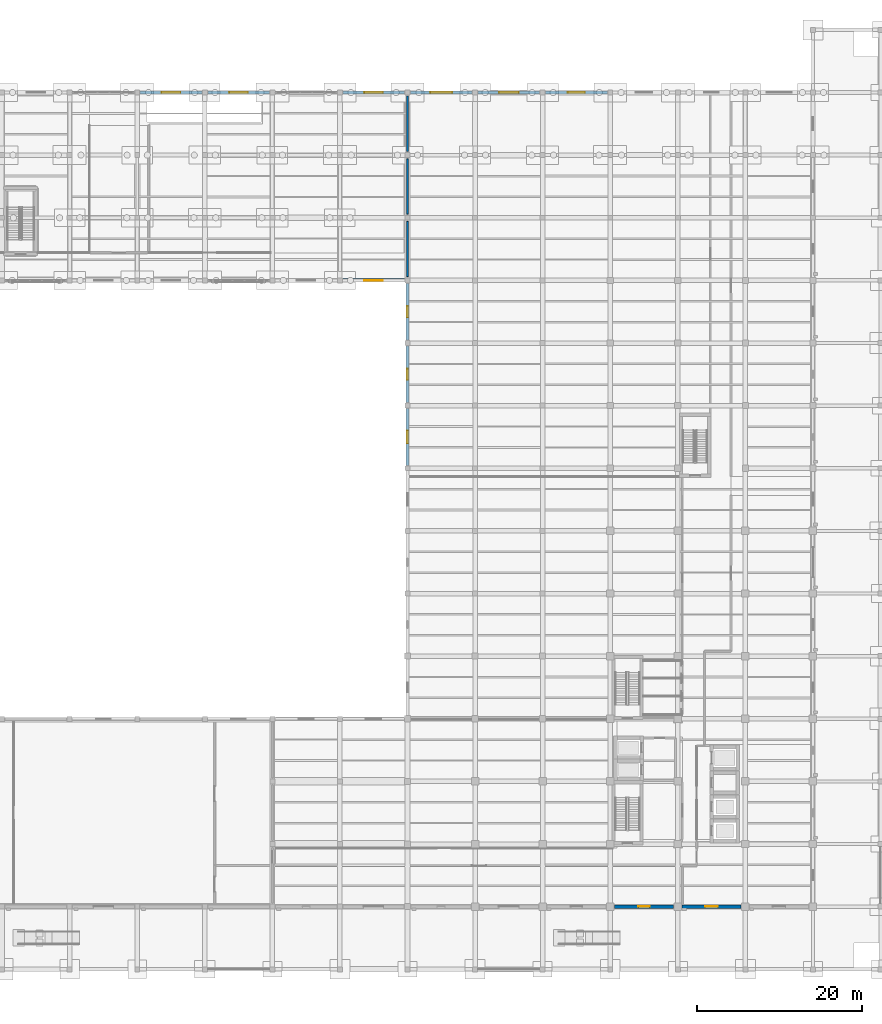
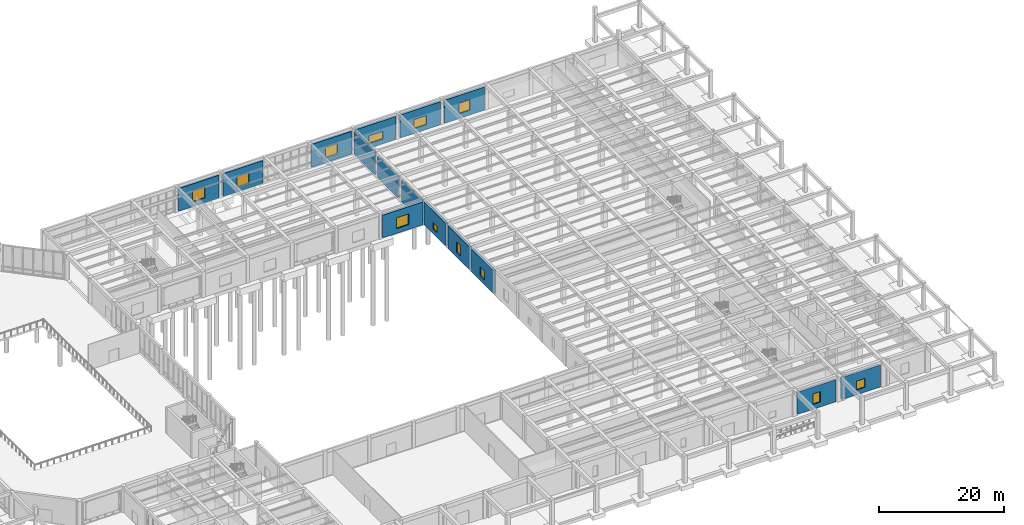
# One storey, part 46 of 64: 15 walls, 12 windows, 12 openings.
"""IFC4 building model written with IfcOpenShell, lengths in metres."""

from ifc_helpers import new_model, si_unit, direction, frame, frame_2d, origin, place, context, subcontext, project, spatial, rectangle, extrude, material, layer, layer_set, type_object, element, fill, save


model = new_model("IFC4")

# Units and contexts
model_context = context("Model", 3, precision=1e-05, world=origin(), true_north=direction((0.0, 1.0)))
body_context = subcontext(model_context, "Body", "Model", "MODEL_VIEW")
ifc_project = project(units=[si_unit("LENGTHUNIT", "METRE"), si_unit("AREAUNIT", "SQUARE_METRE"), si_unit("VOLUMEUNIT", "CUBIC_METRE"), si_unit("PLANEANGLEUNIT", "RADIAN"), si_unit("MASSUNIT", "GRAM", prefix="KILO")], contexts=[model_context])

# Site, building, storey
site_placement = place(None, origin())
site = spatial("IfcSite", under=ifc_project, at=site_placement, CompositionType="ELEMENT")
building_placement = place(site_placement, origin())
building = spatial("IfcBuilding", under=site, at=building_placement, Name="Qandaris Square Conservatory and Botanical Centre", CompositionType="ELEMENT")
storey_placement = place(building_placement, origin())
storey = spatial("IfcBuildingStorey", under=building, at=storey_placement, Name="L00", CompositionType="ELEMENT", Elevation=0.0)

# Wall, opening, window
ifc_material_1 = material(Name="Precast concrete C40/50", Category="concrete")
ifc_layer_1 = layer(ifc_material_1, 0.360107421875)
ifc_layer_set_1 = layer_set([ifc_layer_1], Name="Precast concrete C40/50")
wall_type_1 = type_object("IfcWallType", Name="Architectural Precast Cladding Wall 360mm", PredefinedType="SOLIDWALL", material=ifc_layer_set_1)
wall_1_placement = place(storey_placement, frame((114.239990234375, 115.39990234375, 0.0), z_axis=(0.0, 0.0, 1.0), x_axis=(-1.0, 0.0, 0.0)))
wall_1 = element("IfcWall", 1, at=wall_1_placement, inside=storey, type_object=wall_type_1, Name="Exterior Wall EW-V3B-L00-3-1", PredefinedType="SOLIDWALL", context=body_context, shape_type="SweptSolid", body=[
    extrude(rectangle(XDim=7.47998046875, YDim=0.360107421875, at=frame_2d((3.739990234375, 0.0))), origin(), (0.0, 0.0, 1.0), 4.465087890625),
])
opening_1_placement = place(wall_1_placement, frame((2.614990234375, 0.0, 0.949951171875)))
opening_1 = element("IfcOpeningElement", 2, at=opening_1_placement, cuts=wall_1, Name="Opening WN-12", PredefinedType="OPENING", context=body_context, shape_type="SweptSolid", body=[
    extrude(rectangle(XDim=2.25, YDim=2.10009765625, at=frame_2d((1.125, 1.050048828125))), frame((0.0, 0.19189453125, 0.0), z_axis=(0.0, -1.0, 0.0), x_axis=(1.0, 0.0, 0.0)), (0.0, 0.0, 1.0), 0.384033203125),
])
ifc_material_2 = material(Name="Tempered Low-E Glass", Category="glass")
window_type_1 = type_object("IfcWindowType", Name="Cafe Shaded Court Window 2250x2100", PartitioningType="DOUBLE_PANEL_VERTICAL", PredefinedType="WINDOW", material=ifc_material_2)
window_1_placement = place(opening_1_placement, origin())
window_1 = element("IfcWindow", 3, at=window_1_placement, inside=storey, type_object=window_type_1, Name="Window EW-V3B-L00-3-1", OverallHeight=2.10009765625, OverallWidth=2.25, PartitioningType="DOUBLE_PANEL_VERTICAL", PredefinedType="WINDOW", context=body_context, shape_type="SweptSolid", body=[
    extrude(rectangle(XDim=2.25, YDim=2.10009765625, at=frame_2d((1.125, 1.050048828125))), frame((0.0, 0.030029296875, 0.0), z_axis=(0.0, -1.0, 0.0), x_axis=(1.0, 0.0, 0.0)), (0.0, 0.0, 1.0), 0.06005859375),
])
fill(opening_1, window_1)

wall_2_placement = place(storey_placement, frame((97.840087890625, 115.39990234375, 0.0), z_axis=(0.0, 0.0, 1.0), x_axis=(-1.0, 0.0, 0.0)))
wall_2 = element("IfcWall", 4, at=wall_2_placement, inside=storey, type_object=wall_type_1, Name="Exterior Wall EW-V3B-L00-3-3", PredefinedType="SOLIDWALL", context=body_context, shape_type="SweptSolid", body=[
    extrude(rectangle(XDim=7.47998046875, YDim=0.360107421875, at=frame_2d((3.739990234375, 0.0))), origin(), (0.0, 0.0, 1.0), 4.465087890625),
])
opening_2_placement = place(wall_2_placement, frame((2.614990234375, 0.0, 0.949951171875)))
opening_2 = element("IfcOpeningElement", 5, at=opening_2_placement, cuts=wall_2, Name="Opening WN-12", PredefinedType="OPENING", context=body_context, shape_type="SweptSolid", body=[
    extrude(rectangle(XDim=2.25, YDim=2.10009765625, at=frame_2d((1.125, 1.050048828125))), frame((0.0, 0.19189453125, 0.0), z_axis=(0.0, -1.0, 0.0), x_axis=(1.0, 0.0, 0.0)), (0.0, 0.0, 1.0), 0.384033203125),
])
window_2_placement = place(opening_2_placement, origin())
window_2 = element("IfcWindow", 6, at=window_2_placement, inside=storey, type_object=window_type_1, Name="Window EW-V3B-L00-3-3", OverallHeight=2.10009765625, OverallWidth=2.25, PartitioningType="DOUBLE_PANEL_VERTICAL", PredefinedType="WINDOW", context=body_context, shape_type="SweptSolid", body=[
    extrude(rectangle(XDim=2.25, YDim=2.10009765625, at=frame_2d((1.125, 1.050048828125))), frame((0.0, 0.030029296875, 0.0), z_axis=(0.0, -1.0, 0.0), x_axis=(1.0, 0.0, 0.0)), (0.0, 0.0, 1.0), 0.06005859375),
])
fill(opening_2, window_2)

wall_3_placement = place(storey_placement, frame((89.639892578125, 115.39990234375, 0.0), z_axis=(0.0, 0.0, 1.0), x_axis=(-1.0, 0.0, 0.0)))
wall_3 = element("IfcWall", 7, at=wall_3_placement, inside=storey, type_object=wall_type_1, Name="Exterior Wall EW-V3B-L00-3-4", PredefinedType="SOLIDWALL", context=body_context, shape_type="SweptSolid", body=[
    extrude(rectangle(XDim=7.47998046875, YDim=0.360107421875, at=frame_2d((3.739990234375, 0.0))), origin(), (0.0, 0.0, 1.0), 4.465087890625),
])
opening_3_placement = place(wall_3_placement, frame((2.614990234375, 0.0, 0.949951171875)))
opening_3 = element("IfcOpeningElement", 8, at=opening_3_placement, cuts=wall_3, Name="Opening WN-12", PredefinedType="OPENING", context=body_context, shape_type="SweptSolid", body=[
    extrude(rectangle(XDim=2.25, YDim=2.10009765625, at=frame_2d((1.125, 1.050048828125))), frame((0.0, 0.19189453125, 0.0), z_axis=(0.0, -1.0, 0.0), x_axis=(1.0, 0.0, 0.0)), (0.0, 0.0, 1.0), 0.384033203125),
])
window_3_placement = place(opening_3_placement, origin())
window_3 = element("IfcWindow", 9, at=window_3_placement, inside=storey, type_object=window_type_1, Name="Window EW-V3B-L00-3-4", OverallHeight=2.10009765625, OverallWidth=2.25, PartitioningType="DOUBLE_PANEL_VERTICAL", PredefinedType="WINDOW", context=body_context, shape_type="SweptSolid", body=[
    extrude(rectangle(XDim=2.25, YDim=2.10009765625, at=frame_2d((1.125, 1.050048828125))), frame((0.0, 0.030029296875, 0.0), z_axis=(0.0, -1.0, 0.0), x_axis=(1.0, 0.0, 0.0)), (0.0, 0.0, 1.0), 0.06005859375),
])
fill(opening_3, window_3)

# Walls
ifc_material_3 = material(Name="Concrete C40/50", Category="concrete")
ifc_layer_2 = layer(ifc_material_3, 0.199951171875)
ifc_layer_set_2 = layer_set([ifc_layer_2], Name="Concrete C40/50")
wall_type_2 = type_object("IfcWallType", Name="Herbarium & Plant Compartment Wall 200mm", PredefinedType="PARTITIONING", material=ifc_layer_set_2)
wall_4_placement = place(storey_placement, frame((114.60009765625, 93.050048828125, 0.0), z_axis=(0.0, 0.0, 1.0), x_axis=(0.0, 1.0, 0.0)))
element("IfcWall", 10, at=wall_4_placement, inside=storey, type_object=wall_type_2, Name="Compartment Wall PW-V3BV4-L00-1", PredefinedType="PARTITIONING", context=body_context, shape_type="SweptSolid", body=[
    extrude(rectangle(XDim=6.699951171875, YDim=0.199951171875, at=frame_2d((3.35009765625, 0.0))), origin(), (0.0, 0.0, 1.0), 4.3349609375),
])
wall_5_placement = place(storey_placement, frame((114.60009765625, 100.64990234375, 0.0), z_axis=(0.0, 0.0, 1.0), x_axis=(0.0, 1.0, 0.0)))
element("IfcWall", 11, at=wall_5_placement, inside=storey, type_object=wall_type_2, Name="Compartment Wall PW-V3BV4-L00-2", PredefinedType="PARTITIONING", context=body_context, shape_type="SweptSolid", body=[
    extrude(rectangle(XDim=6.7001953125, YDim=0.199951171875, at=frame_2d((3.35009765625, 0.0))), origin(), (0.0, 0.0, 1.0), 4.3349609375),
])
wall_6_placement = place(storey_placement, frame((114.60009765625, 108.25, 0.0), z_axis=(0.0, 0.0, 1.0), x_axis=(0.0, 1.0, 0.0)))
element("IfcWall", 12, at=wall_6_placement, inside=storey, type_object=wall_type_2, Name="Compartment Wall PW-V3BV4-L00-3", PredefinedType="PARTITIONING", context=body_context, shape_type="SweptSolid", body=[
    extrude(rectangle(XDim=6.699951171875, YDim=0.199951171875, at=frame_2d((3.35009765625, 0.0))), origin(), (0.0, 0.0, 1.0), 4.530029296875),
])

# Wall, opening, window
ifc_layer_3 = layer(ifc_material_3, 0.419921875)
ifc_layer_set_3 = layer_set([ifc_layer_3], Name="Concrete C40/50")
wall_type_3 = type_object("IfcWallType", Name="Insulated Qatari Limestone Cavity Wall 420mm", PredefinedType="SOLIDWALL", material=ifc_layer_set_3)
wall_7_placement = place(storey_placement, frame((106.760009765625, 92.60009765625, 0.0), z_axis=(0.0, 0.0, 1.0), x_axis=(1.0, 0.0, 0.0)))
wall_7 = element("IfcWall", 13, at=wall_7_placement, inside=storey, type_object=wall_type_3, Name="Exterior Wall EW-V3B-L00-1-7", PredefinedType="SOLIDWALL", context=body_context, shape_type="SweptSolid", body=[
    extrude(rectangle(XDim=7.47998046875, YDim=0.419921875, at=frame_2d((3.739990234375, 0.0))), origin(), (0.0, 0.0, 1.0), 4.465087890625),
])
opening_4_placement = place(wall_7_placement, frame((2.614990234375, 0.0, 0.949951171875)))
opening_4 = element("IfcOpeningElement", 14, at=opening_4_placement, cuts=wall_7, Name="Opening WN-12", PredefinedType="OPENING", context=body_context, shape_type="SweptSolid", body=[
    extrude(rectangle(XDim=2.25, YDim=2.10009765625, at=frame_2d((1.125, 1.050048828125))), frame((0.0, 0.221923828125, 0.0), z_axis=(0.0, -1.0, 0.0), x_axis=(1.0, 0.0, 0.0)), (0.0, 0.0, 1.0), 0.44384765625),
])
window_4_placement = place(opening_4_placement, origin())
window_4 = element("IfcWindow", 15, at=window_4_placement, inside=storey, type_object=window_type_1, Name="Window EW-V3B-L00-1-7", OverallHeight=2.10009765625, OverallWidth=2.25, PartitioningType="DOUBLE_PANEL_VERTICAL", PredefinedType="WINDOW", context=body_context, shape_type="SweptSolid", body=[
    extrude(rectangle(XDim=2.25, YDim=2.10009765625, at=frame_2d((1.125, 1.050048828125))), frame((0.0, 0.030029296875, 0.0), z_axis=(0.0, -1.0, 0.0), x_axis=(1.0, 0.0, 0.0)), (0.0, 0.0, 1.0), 0.06005859375),
])
fill(opening_4, window_4)

wall_8_placement = place(storey_placement, frame((139.7099609375, 16.60009765625, 0.0), z_axis=(0.0, 0.0, 1.0), x_axis=(1.0, 0.0, 0.0)))
wall_8 = element("IfcWall", 16, at=wall_8_placement, inside=storey, type_object=wall_type_3, Name="Exterior Wall EW-TWR-L00-1-6", PredefinedType="SOLIDWALL", context=body_context, shape_type="SweptSolid", body=[
    extrude(rectangle(XDim=7.179931640625, YDim=0.419921875, at=frame_2d((3.58984375, 0.0))), origin(), (0.0, 0.0, 1.0), 4.3349609375),
])
opening_5_placement = place(wall_8_placement, frame((2.9150390625, 0.0, 0.949951171875)))
opening_5 = element("IfcOpeningElement", 17, at=opening_5_placement, cuts=wall_8, Name="Opening WN-24", PredefinedType="OPENING", context=body_context, shape_type="SweptSolid", body=[
    extrude(rectangle(XDim=1.35009765625, YDim=2.050048828125, at=frame_2d((0.675048828125, 1.02490234375))), frame((0.0, 0.221923828125, 0.0), z_axis=(0.0, -1.0, 0.0), x_axis=(1.0, 0.0, 0.0)), (0.0, 0.0, 1.0), 0.44384765625),
])
window_type_2 = type_object("IfcWindowType", Name="Solar Control Window 1350x2050", PartitioningType="SINGLE_PANEL", PredefinedType="WINDOW", material=ifc_material_2)
window_5_placement = place(opening_5_placement, origin())
window_5 = element("IfcWindow", 18, at=window_5_placement, inside=storey, type_object=window_type_2, Name="Window EW-TWR-L00-1-6", OverallHeight=2.050048828125, OverallWidth=1.35009765625, PartitioningType="SINGLE_PANEL", PredefinedType="WINDOW", context=body_context, shape_type="SweptSolid", body=[
    extrude(rectangle(XDim=1.35009765625, YDim=2.050048828125, at=frame_2d((0.675048828125, 1.02490234375))), frame((0.0, 0.030029296875, 0.0), z_axis=(0.0, -1.0, 0.0), x_axis=(1.0, 0.0, 0.0)), (0.0, 0.0, 1.0), 0.06005859375),
])
fill(opening_5, window_5)

wall_9_placement = place(storey_placement, frame((147.909912109375, 16.60009765625, 0.0), z_axis=(0.0, 0.0, 1.0), x_axis=(1.0, 0.0, 0.0)))
wall_9 = element("IfcWall", 19, at=wall_9_placement, inside=storey, type_object=wall_type_3, Name="Exterior Wall EW-TWR-L00-1-7", PredefinedType="SOLIDWALL", context=body_context, shape_type="SweptSolid", body=[
    extrude(rectangle(XDim=7.18017578125, YDim=0.419921875, at=frame_2d((3.590087890625, 0.0))), origin(), (0.0, 0.0, 1.0), 4.3349609375),
])
opening_6_placement = place(wall_9_placement, frame((2.81494140625, 0.0, 0.949951171875)))
opening_6 = element("IfcOpeningElement", 20, at=opening_6_placement, cuts=wall_9, Name="Opening WN-27", PredefinedType="OPENING", context=body_context, shape_type="SweptSolid", body=[
    extrude(rectangle(XDim=1.550048828125, YDim=1.75, at=frame_2d((0.77490234375, 0.875))), frame((0.0, 0.221923828125, 0.0), z_axis=(0.0, -1.0, 0.0), x_axis=(1.0, 0.0, 0.0)), (0.0, 0.0, 1.0), 0.44384765625),
])
window_type_3 = type_object("IfcWindowType", Name="Solar Control Window 1550x1750", PartitioningType="DOUBLE_PANEL_VERTICAL", PredefinedType="WINDOW", material=ifc_material_2)
window_6_placement = place(opening_6_placement, origin())
window_6 = element("IfcWindow", 21, at=window_6_placement, inside=storey, type_object=window_type_3, Name="Window EW-TWR-L00-1-7", OverallHeight=1.75, OverallWidth=1.550048828125, PartitioningType="DOUBLE_PANEL_VERTICAL", PredefinedType="WINDOW", context=body_context, shape_type="SweptSolid", body=[
    extrude(rectangle(XDim=1.550048828125, YDim=1.75, at=frame_2d((0.77490234375, 0.875))), frame((0.0, 0.030029296875, 0.0), z_axis=(0.0, -1.0, 0.0), x_axis=(1.0, 0.0, 0.0)), (0.0, 0.0, 1.0), 0.06005859375),
])
fill(opening_6, window_6)

wall_10_placement = place(storey_placement, frame((138.840087890625, 115.39990234375, 0.0), z_axis=(0.0, 0.0, 1.0), x_axis=(-1.0, 0.0, 0.0)))
wall_10 = element("IfcWall", 22, at=wall_10_placement, inside=storey, type_object=wall_type_3, Name="Exterior Wall EW-TWR-L00-3-4", PredefinedType="SOLIDWALL", context=body_context, shape_type="SweptSolid", body=[
    extrude(rectangle(XDim=7.47998046875, YDim=0.419921875, at=frame_2d((3.739990234375, 0.0))), origin(), (0.0, 0.0, 1.0), 4.530029296875),
])
opening_7_placement = place(wall_10_placement, frame((2.715087890625, 0.0, 0.949951171875)))
opening_7 = element("IfcOpeningElement", 23, at=opening_7_placement, cuts=wall_10, Name="Opening WN-36", PredefinedType="OPENING", context=body_context, shape_type="SweptSolid", body=[
    extrude(rectangle(XDim=2.050048828125, YDim=2.050048828125, at=frame_2d((1.02490234375, 1.02490234375))), frame((0.0, 0.221923828125, 0.0), z_axis=(0.0, -1.0, 0.0), x_axis=(1.0, 0.0, 0.0)), (0.0, 0.0, 1.0), 0.44384765625),
])
window_type_4 = type_object("IfcWindowType", Name="Solar Control Window 2050x2050", PartitioningType="DOUBLE_PANEL_VERTICAL", PredefinedType="WINDOW", material=ifc_material_2)
window_7_placement = place(opening_7_placement, origin())
window_7 = element("IfcWindow", 24, at=window_7_placement, inside=storey, type_object=window_type_4, Name="Window EW-TWR-L00-3-4", OverallHeight=2.050048828125, OverallWidth=2.050048828125, PartitioningType="DOUBLE_PANEL_VERTICAL", PredefinedType="WINDOW", context=body_context, shape_type="SweptSolid", body=[
    extrude(rectangle(XDim=2.050048828125, YDim=2.050048828125, at=frame_2d((1.02490234375, 1.02490234375))), frame((0.0, 0.030029296875, 0.0), z_axis=(0.0, -1.0, 0.0), x_axis=(1.0, 0.0, 0.0)), (0.0, 0.0, 1.0), 0.06005859375),
])
fill(opening_7, window_7)

wall_11_placement = place(storey_placement, frame((130.639892578125, 115.39990234375, 0.0), z_axis=(0.0, 0.0, 1.0), x_axis=(-1.0, 0.0, 0.0)))
wall_11 = element("IfcWall", 25, at=wall_11_placement, inside=storey, type_object=wall_type_3, Name="Exterior Wall EW-TWR-L00-3-5", PredefinedType="SOLIDWALL", context=body_context, shape_type="SweptSolid", body=[
    extrude(rectangle(XDim=7.47998046875, YDim=0.419921875, at=frame_2d((3.739990234375, 0.0))), origin(), (0.0, 0.0, 1.0), 4.530029296875),
])
opening_8_placement = place(wall_11_placement, frame((2.56494140625, 0.0, 0.949951171875)))
opening_8 = element("IfcOpeningElement", 26, at=opening_8_placement, cuts=wall_11, Name="Opening WN-39", PredefinedType="OPENING", context=body_context, shape_type="SweptSolid", body=[
    extrude(rectangle(XDim=2.35009765625, YDim=1.75, at=frame_2d((1.175048828125, 0.875))), frame((0.0, 0.221923828125, 0.0), z_axis=(0.0, -1.0, 0.0), x_axis=(1.0, 0.0, 0.0)), (0.0, 0.0, 1.0), 0.44384765625),
])
window_type_5 = type_object("IfcWindowType", Name="Solar Control Window 2350x1750", PartitioningType="DOUBLE_PANEL_VERTICAL", PredefinedType="WINDOW", material=ifc_material_2)
window_8_placement = place(opening_8_placement, origin())
window_8 = element("IfcWindow", 27, at=window_8_placement, inside=storey, type_object=window_type_5, Name="Window EW-TWR-L00-3-5", OverallHeight=1.75, OverallWidth=2.35009765625, PartitioningType="DOUBLE_PANEL_VERTICAL", PredefinedType="WINDOW", context=body_context, shape_type="SweptSolid", body=[
    extrude(rectangle(XDim=2.35009765625, YDim=1.75, at=frame_2d((1.175048828125, 0.875))), frame((0.0, 0.030029296875, 0.0), z_axis=(0.0, -1.0, 0.0), x_axis=(1.0, 0.0, 0.0)), (0.0, 0.0, 1.0), 0.06005859375),
])
fill(opening_8, window_8)

wall_12_placement = place(storey_placement, frame((122.43994140625, 115.39990234375, 0.0), z_axis=(0.0, 0.0, 1.0), x_axis=(-1.0, 0.0, 0.0)))
wall_12 = element("IfcWall", 28, at=wall_12_placement, inside=storey, type_object=wall_type_3, Name="Exterior Wall EW-TWR-L00-3-6", PredefinedType="SOLIDWALL", context=body_context, shape_type="SweptSolid", body=[
    extrude(rectangle(XDim=7.47998046875, YDim=0.419921875, at=frame_2d((3.739990234375, 0.0))), origin(), (0.0, 0.0, 1.0), 4.530029296875),
])
opening_9_placement = place(wall_12_placement, frame((2.4150390625, 0.0, 0.949951171875)))
opening_9 = element("IfcOpeningElement", 29, at=opening_9_placement, cuts=wall_12, Name="Opening WN-42", PredefinedType="OPENING", context=body_context, shape_type="SweptSolid", body=[
    extrude(rectangle(XDim=2.64990234375, YDim=1.5, at=frame_2d((1.324951171875, 0.75))), frame((0.0, 0.221923828125, 0.0), z_axis=(0.0, -1.0, 0.0), x_axis=(1.0, 0.0, 0.0)), (0.0, 0.0, 1.0), 0.44384765625),
])
window_type_6 = type_object("IfcWindowType", Name="Solar Control Window 2650x1500", PartitioningType="DOUBLE_PANEL_VERTICAL", PredefinedType="WINDOW", material=ifc_material_2)
window_9_placement = place(opening_9_placement, origin())
window_9 = element("IfcWindow", 30, at=window_9_placement, inside=storey, type_object=window_type_6, Name="Window EW-TWR-L00-3-6", OverallHeight=1.5, OverallWidth=2.64990234375, PartitioningType="DOUBLE_PANEL_VERTICAL", PredefinedType="WINDOW", context=body_context, shape_type="SweptSolid", body=[
    extrude(rectangle(XDim=2.64990234375, YDim=1.5, at=frame_2d((1.324951171875, 0.75))), frame((0.0, 0.030029296875, 0.0), z_axis=(0.0, -1.0, 0.0), x_axis=(1.0, 0.0, 0.0)), (0.0, 0.0, 1.0), 0.06005859375),
])
fill(opening_9, window_9)

wall_13_placement = place(storey_placement, frame((114.60009765625, 92.239990234375, 0.0), z_axis=(0.0, 0.0, 1.0), x_axis=(0.0, -1.0, 0.0)))
wall_13 = element("IfcWall", 31, at=wall_13_placement, inside=storey, type_object=wall_type_3, Name="Exterior Wall EW-TWR-L00-4-4", PredefinedType="SOLIDWALL", context=body_context, shape_type="SweptSolid", body=[
    extrude(rectangle(XDim=6.8798828125, YDim=0.419921875, at=frame_2d((3.43994140625, 0.0))), origin(), (0.0, 0.0, 1.0), 4.485107421875),
])
opening_10_placement = place(wall_13_placement, frame((2.764892578125, 0.0, 0.949951171875)))
opening_10 = element("IfcOpeningElement", 32, at=opening_10_placement, cuts=wall_13, Name="Opening WN-21", PredefinedType="OPENING", context=body_context, shape_type="SweptSolid", body=[
    extrude(rectangle(XDim=1.35009765625, YDim=1.25, at=frame_2d((0.675048828125, 0.625))), frame((0.0, 0.221923828125, 0.0), z_axis=(0.0, -1.0, 0.0), x_axis=(1.0, 0.0, 0.0)), (0.0, 0.0, 1.0), 0.44384765625),
])
window_type_7 = type_object("IfcWindowType", Name="Solar Control Window 1350x1250", PartitioningType="SINGLE_PANEL", PredefinedType="WINDOW", material=ifc_material_2)
window_10_placement = place(opening_10_placement, origin())
window_10 = element("IfcWindow", 33, at=window_10_placement, inside=storey, type_object=window_type_7, Name="Window EW-TWR-L00-4-4", OverallHeight=1.25, OverallWidth=1.35009765625, PartitioningType="SINGLE_PANEL", PredefinedType="WINDOW", context=body_context, shape_type="SweptSolid", body=[
    extrude(rectangle(XDim=1.35009765625, YDim=1.25, at=frame_2d((0.675048828125, 0.625))), frame((0.0, 0.030029296875, 0.0), z_axis=(0.0, -1.0, 0.0), x_axis=(1.0, 0.0, 0.0)), (0.0, 0.0, 1.0), 0.06005859375),
])
fill(opening_10, window_10)

wall_14_placement = place(storey_placement, frame((114.60009765625, 84.639892578125, 0.0), z_axis=(0.0, 0.0, 1.0), x_axis=(0.0, -1.0, 0.0)))
wall_14 = element("IfcWall", 34, at=wall_14_placement, inside=storey, type_object=wall_type_3, Name="Exterior Wall EW-TWR-L00-4-5", PredefinedType="SOLIDWALL", context=body_context, shape_type="SweptSolid", body=[
    extrude(rectangle(XDim=6.8798828125, YDim=0.419921875, at=frame_2d((3.43994140625, 0.0))), origin(), (0.0, 0.0, 1.0), 4.485107421875),
])
opening_11_placement = place(wall_14_placement, frame((2.764892578125, 0.0, 0.949951171875)))
opening_11 = element("IfcOpeningElement", 35, at=opening_11_placement, cuts=wall_14, Name="Opening WN-24", PredefinedType="OPENING", context=body_context, shape_type="SweptSolid", body=[
    extrude(rectangle(XDim=1.35009765625, YDim=2.050048828125, at=frame_2d((0.675048828125, 1.02490234375))), frame((0.0, 0.221923828125, 0.0), z_axis=(0.0, -1.0, 0.0), x_axis=(1.0, 0.0, 0.0)), (0.0, 0.0, 1.0), 0.44384765625),
])
window_11_placement = place(opening_11_placement, origin())
window_11 = element("IfcWindow", 36, at=window_11_placement, inside=storey, type_object=window_type_2, Name="Window EW-TWR-L00-4-5", OverallHeight=2.050048828125, OverallWidth=1.35009765625, PartitioningType="SINGLE_PANEL", PredefinedType="WINDOW", context=body_context, shape_type="SweptSolid", body=[
    extrude(rectangle(XDim=1.35009765625, YDim=2.050048828125, at=frame_2d((0.675048828125, 1.02490234375))), frame((0.0, 0.030029296875, 0.0), z_axis=(0.0, -1.0, 0.0), x_axis=(1.0, 0.0, 0.0)), (0.0, 0.0, 1.0), 0.06005859375),
])
fill(opening_11, window_11)

wall_15_placement = place(storey_placement, frame((114.60009765625, 77.0400390625, 0.0), z_axis=(0.0, 0.0, 1.0), x_axis=(0.0, -1.0, 0.0)))
wall_15 = element("IfcWall", 37, at=wall_15_placement, inside=storey, type_object=wall_type_3, Name="Exterior Wall EW-TWR-L00-4-6", PredefinedType="SOLIDWALL", context=body_context, shape_type="SweptSolid", body=[
    extrude(rectangle(XDim=6.880126953125, YDim=0.419921875, at=frame_2d((3.43994140625, 0.0))), origin(), (0.0, 0.0, 1.0), 4.485107421875),
])
opening_12_placement = place(wall_15_placement, frame((2.6650390625, 0.0, 0.949951171875)))
opening_12 = element("IfcOpeningElement", 38, at=opening_12_placement, cuts=wall_15, Name="Opening WN-27", PredefinedType="OPENING", context=body_context, shape_type="SweptSolid", body=[
    extrude(rectangle(XDim=1.550048828125, YDim=1.75, at=frame_2d((0.77490234375, 0.875))), frame((0.0, 0.221923828125, 0.0), z_axis=(0.0, -1.0, 0.0), x_axis=(1.0, 0.0, 0.0)), (0.0, 0.0, 1.0), 0.44384765625),
])
window_12_placement = place(opening_12_placement, origin())
window_12 = element("IfcWindow", 39, at=window_12_placement, inside=storey, type_object=window_type_3, Name="Window EW-TWR-L00-4-6", OverallHeight=1.75, OverallWidth=1.550048828125, PartitioningType="DOUBLE_PANEL_VERTICAL", PredefinedType="WINDOW", context=body_context, shape_type="SweptSolid", body=[
    extrude(rectangle(XDim=1.550048828125, YDim=1.75, at=frame_2d((0.77490234375, 0.875))), frame((0.0, 0.030029296875, 0.0), z_axis=(0.0, -1.0, 0.0), x_axis=(1.0, 0.0, 0.0)), (0.0, 0.0, 1.0), 0.06005859375),
])
fill(opening_12, window_12)

save(model, "model.ifc")
